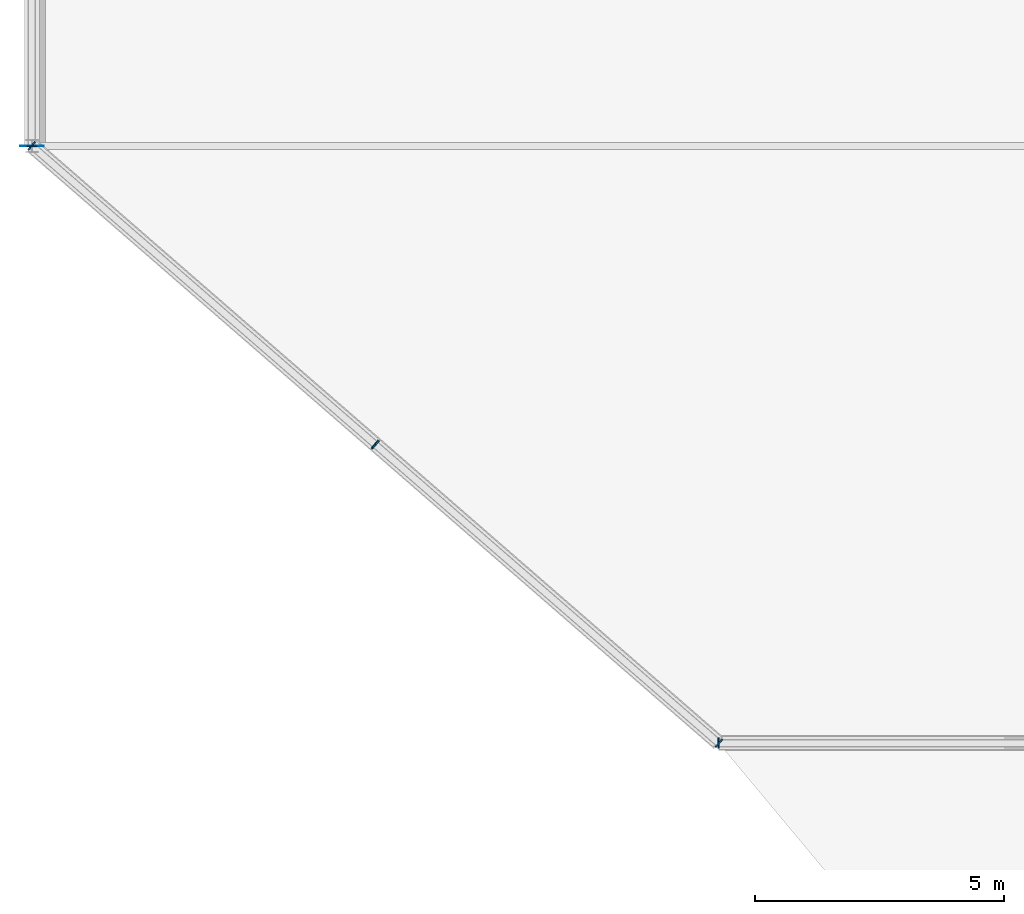
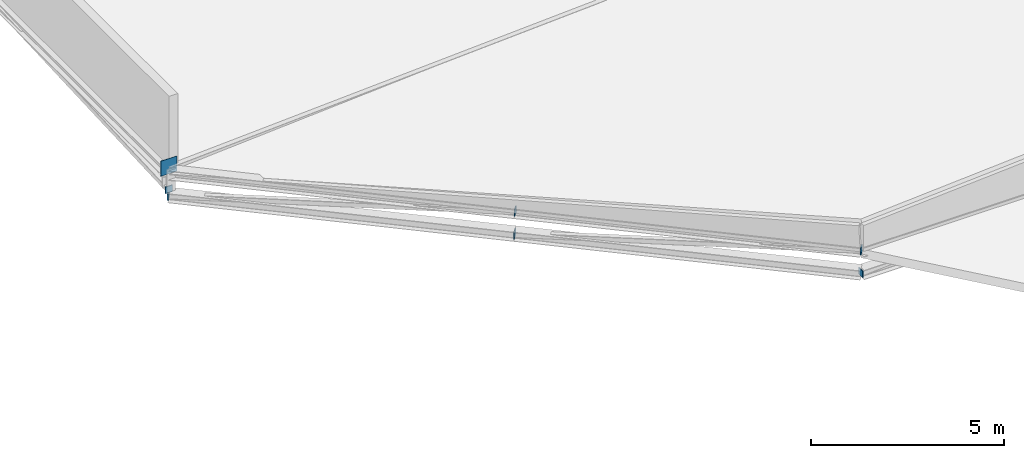
# One storey, part 54 of 77: 7 plates.
"""IFC4 building model written with IfcOpenShell, lengths in metres."""

from ifc_helpers import new_model, si_unit, direction, frame, origin, origin_2d, place, context, subcontext, project, spatial, rectangle, extrude, material, layer, layer_set, type_object, element, save


model = new_model("IFC4")

# Units and contexts
model_context = context("Model", 3, precision=1e-05, world=origin(), true_north=direction((0.0, 1.0)))
body_context = subcontext(model_context, "Body", "Model", "MODEL_VIEW")
ifc_project = project(units=[si_unit("LENGTHUNIT", "METRE"), si_unit("AREAUNIT", "SQUARE_METRE"), si_unit("VOLUMEUNIT", "CUBIC_METRE"), si_unit("PLANEANGLEUNIT", "RADIAN"), si_unit("MASSUNIT", "GRAM", prefix="KILO")], contexts=[model_context])

# Site, building, storey
site_placement = place(None, origin())
site = spatial("IfcSite", under=ifc_project, at=site_placement, CompositionType="ELEMENT")
building_placement = place(site_placement, origin())
building = spatial("IfcBuilding", under=site, at=building_placement, Name="Larkvane Passage Sports Hall", CompositionType="ELEMENT")
storey_placement = place(building_placement, frame((0.0, 0.0, 22.199951171875)))
storey = spatial("IfcBuildingStorey", under=building, at=storey_placement, Name="RF", CompositionType="ELEMENT", Elevation=22.199951171875)

# Plates
ifc_material_1 = material(Name="Steel S355JR", Category="steel")
ifc_layer_1 = layer(ifc_material_1, 0.011962890625)
ifc_layer_set_1 = layer_set([ifc_layer_1], Name="Steel S355JR")
plate_type_1 = type_object("IfcPlateType", Name="PLT-CAP-12", PredefinedType="SHEET", material=ifc_layer_set_1)
for number, where, z_axis, x_axis, name in (
    (1, (0.0, 51.593994140625, -0.650146484375), (0.0, 0.0, 1.0), (-1.0, 0.0, 0.0), "Hollow section sealed end cap plate 0538"),
    (2, (-0.00439453125, 51.60400390625, -0.845458984375), (0.0, 0.0, 1.0), (0.656190740668, 0.754595064827, 0.0), "Hollow section sealed end cap plate 0546"),
    (3, (6.904541015625, 45.59619140625, -0.12451171875), (0.0, 0.0, 1.0), (0.656190740668, 0.754595064827, 0.0), "Hollow section sealed end cap plate 0547"),
    (4, (6.8955078125, 45.60400390625, -0.845458984375), (0.0, 0.0, 1.0), (0.656190740668, 0.754595064827, 0.0), "Hollow section sealed end cap plate 0548"),
    (5, (13.804443359375, 39.59619140625, -0.12451171875), (0.0, 0.0, 1.0), (0.656190740668, 0.754595064827, 0.0), "Hollow section sealed end cap plate 0549"),
    (6, (13.7939453125, 39.60009765625, -0.84521484375), (0.0, 0.0, 1.0), (0.0, 1.0, 0.0), "Hollow section sealed end cap plate 0550"),
):
    element("IfcPlate", number, at=place(storey_placement, frame(where, z_axis=z_axis, x_axis=x_axis)), inside=storey, type_object=plate_type_1, Name=name, PredefinedType="SHEET", context=body_context, shape_type="SweptSolid", body=[
        extrude(rectangle(XDim=0.2099609375, YDim=0.028076171875, at=origin_2d()), origin(), (0.0, 0.0, 1.0), 0.2099609375),
    ])
ifc_material_2 = material(Name="Steel S460N", Category="steel")
ifc_layer_2 = layer(ifc_material_2, 0.01611328125)
ifc_layer_set_2 = layer_set([ifc_layer_2], Name="Steel S460N")
plate_type_2 = type_object("IfcPlateType", Name="PLT-GUS-16", PredefinedType="USERDEFINED", material=ifc_layer_set_2)
plate_placement = place(storey_placement, frame((0.0, 51.60009765625, -0.06005859375), z_axis=(0.0, 0.0, 1.0), x_axis=(1.0, 0.0, 0.0)))
element("IfcPlate", 7, at=plate_placement, inside=storey, type_object=plate_type_2, Name="Brace connection gusset plate 0530", ObjectType="GUSSET PLATE", PredefinedType="USERDEFINED", context=body_context, shape_type="SweptSolid", body=[
    extrude(rectangle(XDim=0.47998046875, YDim=0.01611328125, at=origin_2d()), origin(), (0.0, 0.0, 1.0), 0.47998046875),
])

save(model, "model.ifc")
